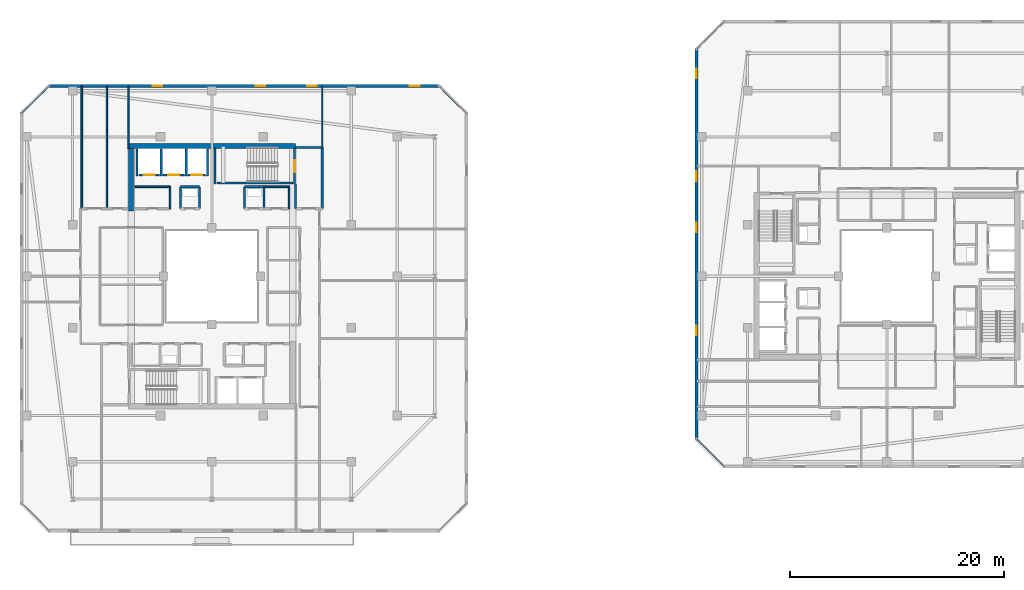
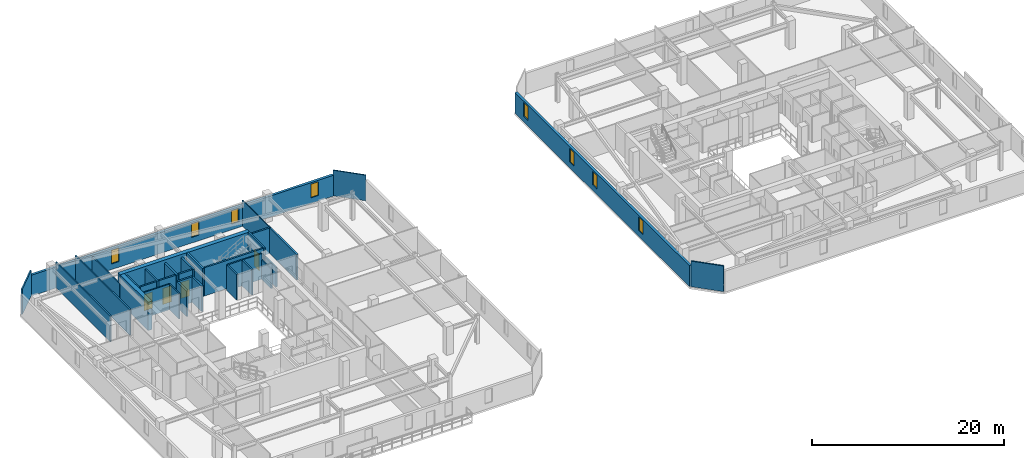
# One storey, part 24 of 35: 34 walls, 8 windows, 4 doors, 12 openings.
"""IFC4 building model written with IfcOpenShell, lengths in metres."""

from ifc_helpers import new_model, si_unit, direction, frame, frame_2d, origin, place, context, subcontext, project, spatial, rectangle, extrude, material, layer, layer_set, type_object, element, fill, save


model = new_model("IFC4")

# Units and contexts
model_context = context("Model", 3, precision=1e-05, world=origin(), true_north=direction((0.0, 1.0)))
body_context = subcontext(model_context, "Body", "Model", "MODEL_VIEW")
ifc_project = project(units=[si_unit("LENGTHUNIT", "METRE"), si_unit("AREAUNIT", "SQUARE_METRE"), si_unit("VOLUMEUNIT", "CUBIC_METRE"), si_unit("PLANEANGLEUNIT", "RADIAN"), si_unit("MASSUNIT", "GRAM", prefix="KILO")], contexts=[model_context])

# Site, building, storey
site_placement = place(None, origin())
site = spatial("IfcSite", under=ifc_project, at=site_placement, CompositionType="ELEMENT")
building_placement = place(site_placement, origin())
building = spatial("IfcBuilding", under=site, at=building_placement, Name="Thornwick Lancets Civic Towers", CompositionType="ELEMENT")
storey_placement = place(building_placement, frame((0.0, 0.0, 276.300048828125)))
storey = spatial("IfcBuildingStorey", under=building, at=storey_placement, Name="L74", CompositionType="ELEMENT", Elevation=276.300048828125)

# Wall, opening, door
ifc_material_1 = material(Name="Concrete blockwork C40/50", Category="masonry")
ifc_layer_1 = layer(ifc_material_1, 0.199951171875, Name="Concrete blockwork C40/50")
ifc_layer_set_1 = layer_set([ifc_layer_1], Name="Concrete blockwork C40/50")
wall_type_1 = type_object("IfcWallType", Name="WALL_COMP_200", PredefinedType="STANDARD", material=ifc_layer_set_1)
wall_1_placement = place(storey_placement, frame((24.919921875, 36.449951171875, 0.0), z_axis=(0.0, 0.0, 1.0), x_axis=(-1.0, 0.0, 0.0)))
wall_1 = element("IfcWall", 1, at=wall_1_placement, inside=storey, type_object=wall_type_1, Name="L74 Hoistway Front Wall FL-A2", PredefinedType="STANDARD", context=body_context, shape_type="SweptSolid", body=[
    extrude(rectangle(XDim=1.639892578125, YDim=0.199951171875, at=frame_2d((0.81982421875, 0.0))), origin(), (0.0, 0.0, 1.0), 3.260009765625),
])
opening_1_placement = place(wall_1_placement, frame((0.31005859375, 0.0, 0.0)))
opening_1 = element("IfcOpeningElement", 2, at=opening_1_placement, cuts=wall_1, Name="Opening LD-FL-A2", PredefinedType="OPENING", context=body_context, shape_type="SweptSolid", body=[
    extrude(rectangle(XDim=1.02001953125, YDim=2.06005859375, at=frame_2d((0.510009765625, 1.030029296875))), frame((0.0, 0.10986328125, 0.0), z_axis=(0.0, -1.0, 0.0), x_axis=(1.0, 0.0, 0.0)), (0.0, 0.0, 1.0), 0.219970703125),
])
ifc_material_2 = material(Name="Brushed bronze stainless steel", Category="steel")
door_type_1 = type_object("IfcDoorType", Name="DOOR_LIFT_SLIDE", OperationType="SLIDING_TO_LEFT", PredefinedType="DOOR", material=ifc_material_2)
door_1_placement = place(opening_1_placement, origin())
door_1 = element("IfcDoor", 3, at=door_1_placement, inside=storey, type_object=door_type_1, Name="L74 Sliding Lift Landing Door LD-FL-A2", OperationType="SLIDING_TO_LEFT", OverallHeight=2.06005859375, OverallWidth=1.02001953125, PredefinedType="DOOR", context=body_context, shape_type="SweptSolid", body=[
    extrude(rectangle(XDim=1.02001953125, YDim=2.06005859375, at=frame_2d((0.510009765625, 1.030029296875))), frame((0.0, 0.02490234375, 0.0), z_axis=(0.0, -1.0, 0.0), x_axis=(1.0, 0.0, 0.0)), (0.0, 0.0, 1.0), 0.050048828125),
])
fill(opening_1, door_1)

wall_2_placement = place(storey_placement, frame((22.919921875, 36.449951171875, 0.0), z_axis=(0.0, 0.0, 1.0), x_axis=(-1.0, 0.0, 0.0)))
wall_2 = element("IfcWall", 4, at=wall_2_placement, inside=storey, type_object=wall_type_1, Name="L74 Hoistway Front Wall PL-AH2", PredefinedType="STANDARD", context=body_context, shape_type="SweptSolid", body=[
    extrude(rectangle(XDim=1.989990234375, YDim=0.199951171875, at=frame_2d((0.9951171875, 0.0))), origin(), (0.0, 0.0, 1.0), 3.260009765625),
])
opening_2_placement = place(wall_2_placement, frame((0.485107421875, 0.0, 0.0)))
opening_2 = element("IfcOpeningElement", 5, at=opening_2_placement, cuts=wall_2, Name="Opening LD-PL-AH2", PredefinedType="OPENING", context=body_context, shape_type="SweptSolid", body=[
    extrude(rectangle(XDim=1.02001953125, YDim=2.06005859375, at=frame_2d((0.510009765625, 1.030029296875))), frame((0.0, 0.10986328125, 0.0), z_axis=(0.0, -1.0, 0.0), x_axis=(1.0, 0.0, 0.0)), (0.0, 0.0, 1.0), 0.219970703125),
])
door_2_placement = place(opening_2_placement, origin())
door_2 = element("IfcDoor", 6, at=door_2_placement, inside=storey, type_object=door_type_1, Name="L74 Sliding Lift Landing Door LD-PL-AH2", OperationType="SLIDING_TO_LEFT", OverallHeight=2.06005859375, OverallWidth=1.02001953125, PredefinedType="DOOR", context=body_context, shape_type="SweptSolid", body=[
    extrude(rectangle(XDim=1.02001953125, YDim=2.06005859375, at=frame_2d((0.510009765625, 1.030029296875))), frame((0.0, 0.02490234375, 0.0), z_axis=(0.0, -1.0, 0.0), x_axis=(1.0, 0.0, 0.0)), (0.0, 0.0, 1.0), 0.050048828125),
])
fill(opening_2, door_2)

wall_3_placement = place(storey_placement, frame((20.6201171875, 36.449951171875, 0.0), z_axis=(0.0, 0.0, 1.0), x_axis=(-1.0, 0.0, 0.0)))
wall_3 = element("IfcWall", 7, at=wall_3_placement, inside=storey, type_object=wall_type_1, Name="L74 Hoistway Front Wall PL-AH3", PredefinedType="STANDARD", context=body_context, shape_type="SweptSolid", body=[
    extrude(rectangle(XDim=1.940185546875, YDim=0.199951171875, at=frame_2d((0.97021484375, 0.0))), origin(), (0.0, 0.0, 1.0), 3.260009765625),
])
opening_3_placement = place(wall_3_placement, frame((0.4599609375, 0.0, 0.0)))
opening_3 = element("IfcOpeningElement", 8, at=opening_3_placement, cuts=wall_3, Name="Opening LD-PL-AH3", PredefinedType="OPENING", context=body_context, shape_type="SweptSolid", body=[
    extrude(rectangle(XDim=1.02001953125, YDim=2.06005859375, at=frame_2d((0.510009765625, 1.030029296875))), frame((0.0, 0.10986328125, 0.0), z_axis=(0.0, -1.0, 0.0), x_axis=(1.0, 0.0, 0.0)), (0.0, 0.0, 1.0), 0.219970703125),
])
door_3_placement = place(opening_3_placement, origin())
door_3 = element("IfcDoor", 9, at=door_3_placement, inside=storey, type_object=door_type_1, Name="L74 Sliding Lift Landing Door LD-PL-AH3", OperationType="SLIDING_TO_LEFT", OverallHeight=2.06005859375, OverallWidth=1.02001953125, PredefinedType="DOOR", context=body_context, shape_type="SweptSolid", body=[
    extrude(rectangle(XDim=1.02001953125, YDim=2.06005859375, at=frame_2d((0.510009765625, 1.030029296875))), frame((0.0, 0.02490234375, 0.0), z_axis=(0.0, -1.0, 0.0), x_axis=(1.0, 0.0, 0.0)), (0.0, 0.0, 1.0), 0.050048828125),
])
fill(opening_3, door_3)

# Walls
for number, where, z_axis, x_axis, name in (
    (10, (25.10009765625, 36.35205078125, 0.0), (0.0, 0.0, 1.0), (0.0, 1.0, 0.0), "L74 Hoistway Shaft Wall FL-A2 E"),
    (11, (23.10009765625, 36.35205078125, 0.0), (0.0, 0.0, 1.0), (0.0, 1.0, 0.0), "L74 Hoistway Shaft Wall FL-A2 W"),
    (12, (20.77490234375, 36.35205078125, 0.0), (0.0, 0.0, 1.0), (0.0, 1.0, 0.0), "L74 Hoistway Shaft Wall PL-AH2 W"),
    (13, (18.5, 36.35205078125, 0.0), (0.0, 0.0, 1.0), (0.0, 1.0, 0.0), "L74 Hoistway Shaft Wall PL-AH3 W"),
):
    element("IfcWall", number, at=place(storey_placement, frame(where, z_axis=z_axis, x_axis=x_axis)), inside=storey, type_object=wall_type_1, Name=name, PredefinedType="STANDARD", context=body_context, shape_type="SweptSolid", body=[
        extrude(rectangle(XDim=2.535888671875, YDim=0.199951171875, at=frame_2d((1.26806640625, 0.0))), origin(), (0.0, 0.0, 1.0), 3.260009765625),
    ])
wall_4_placement = place(storey_placement, frame((35.800048828125, 33.300048828125, 0.0), z_axis=(0.0, 0.0, 1.0), x_axis=(0.0, 1.0, 0.0)))
element("IfcWall", 14, at=wall_4_placement, inside=storey, type_object=wall_type_1, Name="L74 Partition L74-A-FFLOB2 E2", PredefinedType="STANDARD", context=body_context, shape_type="SweptSolid", body=[
    extrude(rectangle(XDim=5.699951171875, YDim=0.199951171875, at=frame_2d((2.85009765625, 0.0))), origin(), (0.0, 0.0, 1.0), 3.260009765625),
])
wall_5_placement = place(storey_placement, frame((35.800048828125, 39.0, 0.0), z_axis=(0.0, 0.0, 1.0), x_axis=(-1.0, 0.0, 0.0)))
element("IfcWall", 15, at=wall_5_placement, inside=storey, type_object=wall_type_1, Name="L74 Partition L74-A-FFLOB2 E3", PredefinedType="STANDARD", context=body_context, shape_type="SweptSolid", body=[
    extrude(rectangle(XDim=2.5, YDim=0.199951171875, at=frame_2d((1.25, 0.0))), origin(), (0.0, 0.0, 1.0), 3.260009765625),
])
wall_6_placement = place(storey_placement, frame((33.300048828125, 35.60009765625, 0.0), z_axis=(0.0, 0.0, 1.0), x_axis=(0.0, -1.0, 0.0)))
element("IfcWall", 16, at=wall_6_placement, inside=storey, type_object=wall_type_1, Name="L74 Partition L74-A-FFLOB2 E4", PredefinedType="STANDARD", context=body_context, shape_type="SweptSolid", body=[
    extrude(rectangle(XDim=2.300048828125, YDim=0.199951171875, at=frame_2d((1.14990234375, 0.0))), origin(), (0.0, 0.0, 1.0), 2.46484375),
])
wall_7_placement = place(storey_placement, frame((24.35009765625, 33.300048828125, 0.0), z_axis=(0.0, 0.0, 1.0), x_axis=(0.0, 1.0, 0.0)))
element("IfcWall", 17, at=wall_7_placement, inside=storey, type_object=wall_type_1, Name="L74 Partition L74-A-DUCT2 E2", PredefinedType="STANDARD", context=body_context, shape_type="SweptSolid", body=[
    extrude(rectangle(XDim=2.050048828125, YDim=0.199951171875, at=frame_2d((1.02490234375, 0.0))), origin(), (0.0, 0.0, 1.0), 3.260009765625),
])
wall_8_placement = place(storey_placement, frame((24.35009765625, 35.35009765625, 0.0), z_axis=(0.0, 0.0, 1.0), x_axis=(-1.0, 0.0, 0.0)))
element("IfcWall", 18, at=wall_8_placement, inside=storey, type_object=wall_type_1, Name="L74 Partition L74-A-DUCT2 E3", PredefinedType="STANDARD", context=body_context, shape_type="SweptSolid", body=[
    extrude(rectangle(XDim=1.800048828125, YDim=0.199951171875, at=frame_2d((0.89990234375, 0.0))), origin(), (0.0, 0.0, 1.0), 3.260009765625),
])
for number, where, z_axis, x_axis, name in (
    (19, (22.550048828125, 35.35009765625, 0.0), (0.0, 0.0, 1.0), (0.0, -1.0, 0.0), "L74 Partition L74-A-DUCT2 E4"),
    (20, (30.35009765625, 33.300048828125, 0.0), (0.0, 0.0, 1.0), (0.0, 1.0, 0.0), "L74 Partition L74-A-RISER2 E2"),
):
    element("IfcWall", number, at=place(storey_placement, frame(where, z_axis=z_axis, x_axis=x_axis)), inside=storey, type_object=wall_type_1, Name=name, PredefinedType="STANDARD", context=body_context, shape_type="SweptSolid", body=[
        extrude(rectangle(XDim=2.050048828125, YDim=0.199951171875, at=frame_2d((1.02490234375, 0.0))), origin(), (0.0, 0.0, 1.0), 3.260009765625),
    ])
wall_9_placement = place(storey_placement, frame((30.35009765625, 35.35009765625, 0.0), z_axis=(0.0, 0.0, 1.0), x_axis=(-1.0, 0.0, 0.0)))
element("IfcWall", 21, at=wall_9_placement, inside=storey, type_object=wall_type_1, Name="L74 Partition L74-A-RISER2 E3", PredefinedType="STANDARD", context=body_context, shape_type="SweptSolid", body=[
    extrude(rectangle(XDim=1.800048828125, YDim=0.199951171875, at=frame_2d((0.89990234375, 0.0))), origin(), (0.0, 0.0, 1.0), 3.260009765625),
])
wall_10_placement = place(storey_placement, frame((28.550048828125, 35.35009765625, 0.0), z_axis=(0.0, 0.0, 1.0), x_axis=(0.0, -1.0, 0.0)))
element("IfcWall", 22, at=wall_10_placement, inside=storey, type_object=wall_type_1, Name="L74 Partition L74-A-RISER2 E4", PredefinedType="STANDARD", context=body_context, shape_type="SweptSolid", body=[
    extrude(rectangle(XDim=2.050048828125, YDim=0.199951171875, at=frame_2d((1.02490234375, 0.0))), origin(), (0.0, 0.0, 1.0), 3.260009765625),
])
ifc_material_3 = material(Name="Concrete C50/60", Category="concrete")
ifc_layer_2 = layer(ifc_material_3, 0.5, Name="Concrete C50/60")
ifc_layer_set_2 = layer_set([ifc_layer_2], Name="Concrete C50/60")
wall_type_2 = type_object("IfcWallType", Name="WALL_CORE_500", PredefinedType="SHEAR", material=ifc_layer_set_2)
wall_11_placement = place(storey_placement, frame((17.699951171875, 39.14990234375, 0.0), z_axis=(0.0, 0.0, 1.0), x_axis=(1.0, 0.0, 0.0)))
element("IfcWall", 23, at=wall_11_placement, inside=storey, type_object=wall_type_2, Name="L74 Split Core A2 Shear Wall N", PredefinedType="SHEAR", context=body_context, shape_type="SweptSolid", body=[
    extrude(rectangle(XDim=15.60009765625, YDim=0.5, at=frame_2d((7.800048828125, 0.0))), origin(), (0.0, 0.0, 1.0), 3.599853515625),
])
wall_12_placement = place(storey_placement, frame((17.949951171875, 33.10009765625, 0.0), z_axis=(0.0, 0.0, 1.0), x_axis=(0.0, 1.0, 0.0)))
element("IfcWall", 24, at=wall_12_placement, inside=storey, type_object=wall_type_2, Name="L74 Split Core A2 Shear Wall W", PredefinedType="SHEAR", context=body_context, shape_type="SweptSolid", body=[
    extrude(rectangle(XDim=5.7998046875, YDim=0.5, at=frame_2d((2.89990234375, 0.0))), origin(), (0.0, 0.0, 1.0), 3.599853515625),
])

# Wall, openings, windows
ifc_material_4 = material(Name="Insulated russet terracotta rainscreen on concrete C40/50", Category="masonry")
ifc_layer_3 = layer(ifc_material_4, 0.300048828125, Name="Insulated russet terracotta rainscreen on concrete C40/50")
ifc_layer_set_3 = layer_set([ifc_layer_3], Name="Insulated russet terracotta rainscreen on concrete C40/50")
wall_type_3 = type_object("IfcWallType", Name="WALL_EXT_RUSSET_300", PredefinedType="STANDARD", material=ifc_layer_set_3)
wall_13_placement = place(storey_placement, frame((46.681396484375, 44.7646484375, 0.0), z_axis=(0.0, 0.0, 1.0), x_axis=(-1.0, 0.0, 0.0)))
wall_13 = element("IfcWall", 25, at=wall_13_placement, inside=storey, type_object=wall_type_3, Name="L74 Tower A Terracotta Facade Wall E4", PredefinedType="STANDARD", context=body_context, shape_type="SweptSolid", body=[
    extrude(rectangle(XDim=36.36279296875, YDim=0.300048828125, at=frame_2d((18.181396484375, 0.0))), origin(), (0.0, 0.0, 1.0), 2.659912109375),
])
opening_4_placement = place(wall_13_placement, frame((1.800048828125, 0.0, 0.719970703125)))
opening_4 = element("IfcOpeningElement", 26, at=opening_4_placement, cuts=wall_13, Name="Opening WL-01", PredefinedType="OPENING", context=body_context, shape_type="SweptSolid", body=[
    extrude(rectangle(XDim=0.89990234375, YDim=1.75, at=frame_2d((0.449951171875, 0.875))), frame((0.0, 0.16015625, 0.0), z_axis=(0.0, -1.0, 0.0), x_axis=(1.0, 0.0, 0.0)), (0.0, 0.0, 1.0), 0.320068359375),
])
opening_5_placement = place(wall_13_placement, frame((11.39990234375, 0.0, 0.719970703125)))
opening_5 = element("IfcOpeningElement", 27, at=opening_5_placement, cuts=wall_13, Name="Opening WL-01", PredefinedType="OPENING", context=body_context, shape_type="SweptSolid", body=[
    extrude(rectangle(XDim=0.89990234375, YDim=1.75, at=frame_2d((0.449951171875, 0.875))), frame((0.0, 0.16015625, 0.0), z_axis=(0.0, -1.0, 0.0), x_axis=(1.0, 0.0, 0.0)), (0.0, 0.0, 1.0), 0.320068359375),
])
opening_6_placement = place(wall_13_placement, frame((16.199951171875, 0.0, 0.719970703125)))
opening_6 = element("IfcOpeningElement", 28, at=opening_6_placement, cuts=wall_13, Name="Opening WL-01", PredefinedType="OPENING", context=body_context, shape_type="SweptSolid", body=[
    extrude(rectangle(XDim=0.89990234375, YDim=1.75, at=frame_2d((0.449951171875, 0.875))), frame((0.0, 0.16015625, 0.0), z_axis=(0.0, -1.0, 0.0), x_axis=(1.0, 0.0, 0.0)), (0.0, 0.0, 1.0), 0.320068359375),
])
opening_7_placement = place(wall_13_placement, frame((25.800048828125, 0.0, 0.719970703125)))
opening_7 = element("IfcOpeningElement", 29, at=opening_7_placement, cuts=wall_13, Name="Opening WL-01", PredefinedType="OPENING", context=body_context, shape_type="SweptSolid", body=[
    extrude(rectangle(XDim=0.89990234375, YDim=1.75, at=frame_2d((0.449951171875, 0.875))), frame((0.0, 0.16015625, 0.0), z_axis=(0.0, -1.0, 0.0), x_axis=(1.0, 0.0, 0.0)), (0.0, 0.0, 1.0), 0.320068359375),
])
ifc_material_5 = material(Name="Clear low-e double glazing in bronze frame", Category="glass")
window_type = type_object("IfcWindowType", Name="WIN_LANCET_900", PartitioningType="SINGLE_PANEL", PredefinedType="WINDOW", material=ifc_material_5)
window_1_placement = place(opening_4_placement, origin())
window_1 = element("IfcWindow", 30, at=window_1_placement, inside=storey, type_object=window_type, Name="L74 Tower A Staggered Lancet Window E4-1", OverallHeight=1.75, OverallWidth=0.89990234375, PartitioningType="SINGLE_PANEL", PredefinedType="WINDOW", context=body_context, shape_type="SweptSolid", body=[
    extrude(rectangle(XDim=0.89990234375, YDim=1.75, at=frame_2d((0.449951171875, 0.875))), frame((0.0, 0.030029296875, 0.0), z_axis=(0.0, -1.0, 0.0), x_axis=(1.0, 0.0, 0.0)), (0.0, 0.0, 1.0), 0.06005859375),
])
fill(opening_4, window_1)
window_2_placement = place(opening_5_placement, origin())
window_2 = element("IfcWindow", 31, at=window_2_placement, inside=storey, type_object=window_type, Name="L74 Tower A Staggered Lancet Window E4-2", OverallHeight=1.75, OverallWidth=0.89990234375, PartitioningType="SINGLE_PANEL", PredefinedType="WINDOW", context=body_context, shape_type="SweptSolid", body=[
    extrude(rectangle(XDim=0.89990234375, YDim=1.75, at=frame_2d((0.449951171875, 0.875))), frame((0.0, 0.030029296875, 0.0), z_axis=(0.0, -1.0, 0.0), x_axis=(1.0, 0.0, 0.0)), (0.0, 0.0, 1.0), 0.06005859375),
])
fill(opening_5, window_2)
window_3_placement = place(opening_6_placement, origin())
window_3 = element("IfcWindow", 32, at=window_3_placement, inside=storey, type_object=window_type, Name="L74 Tower A Staggered Lancet Window E4-3", OverallHeight=1.75, OverallWidth=0.89990234375, PartitioningType="SINGLE_PANEL", PredefinedType="WINDOW", context=body_context, shape_type="SweptSolid", body=[
    extrude(rectangle(XDim=0.89990234375, YDim=1.75, at=frame_2d((0.449951171875, 0.875))), frame((0.0, 0.030029296875, 0.0), z_axis=(0.0, -1.0, 0.0), x_axis=(1.0, 0.0, 0.0)), (0.0, 0.0, 1.0), 0.06005859375),
])
fill(opening_6, window_3)
window_4_placement = place(opening_7_placement, origin())
window_4 = element("IfcWindow", 33, at=window_4_placement, inside=storey, type_object=window_type, Name="L74 Tower A Staggered Lancet Window E4-4", OverallHeight=1.75, OverallWidth=0.89990234375, PartitioningType="SINGLE_PANEL", PredefinedType="WINDOW", context=body_context, shape_type="SweptSolid", body=[
    extrude(rectangle(XDim=0.89990234375, YDim=1.75, at=frame_2d((0.449951171875, 0.875))), frame((0.0, 0.030029296875, 0.0), z_axis=(0.0, -1.0, 0.0), x_axis=(1.0, 0.0, 0.0)), (0.0, 0.0, 1.0), 0.06005859375),
])
fill(opening_7, window_4)

wall_14_placement = place(storey_placement, frame((70.7353515625, 48.181396484375, 0.0), z_axis=(0.0, 0.0, 1.0), x_axis=(0.0, -1.0, 0.0)))
wall_14 = element("IfcWall", 34, at=wall_14_placement, inside=storey, type_object=wall_type_3, Name="L74 Tower B Terracotta Facade Wall E6", PredefinedType="STANDARD", context=body_context, shape_type="SweptSolid", body=[
    extrude(rectangle(XDim=36.36279296875, YDim=0.300048828125, at=frame_2d((18.181396484375, 0.0))), origin(), (0.0, 0.0, 1.0), 2.659912109375),
])
opening_8_placement = place(wall_14_placement, frame((1.800048828125, 0.0, 0.719970703125)))
opening_8 = element("IfcOpeningElement", 35, at=opening_8_placement, cuts=wall_14, Name="Opening WL-01", PredefinedType="OPENING", context=body_context, shape_type="SweptSolid", body=[
    extrude(rectangle(XDim=0.89990234375, YDim=1.75, at=frame_2d((0.449951171875, 0.875))), frame((0.0, 0.16015625, 0.0), z_axis=(0.0, -1.0, 0.0), x_axis=(1.0, 0.0, 0.0)), (0.0, 0.0, 1.0), 0.320068359375),
])
opening_9_placement = place(wall_14_placement, frame((11.39990234375, 0.0, 0.719970703125)))
opening_9 = element("IfcOpeningElement", 36, at=opening_9_placement, cuts=wall_14, Name="Opening WL-01", PredefinedType="OPENING", context=body_context, shape_type="SweptSolid", body=[
    extrude(rectangle(XDim=0.89990234375, YDim=1.75, at=frame_2d((0.449951171875, 0.875))), frame((0.0, 0.16015625, 0.0), z_axis=(0.0, -1.0, 0.0), x_axis=(1.0, 0.0, 0.0)), (0.0, 0.0, 1.0), 0.320068359375),
])
opening_10_placement = place(wall_14_placement, frame((16.199951171875, 0.0, 0.719970703125)))
opening_10 = element("IfcOpeningElement", 37, at=opening_10_placement, cuts=wall_14, Name="Opening WL-01", PredefinedType="OPENING", context=body_context, shape_type="SweptSolid", body=[
    extrude(rectangle(XDim=0.89990234375, YDim=1.75, at=frame_2d((0.449951171875, 0.875))), frame((0.0, 0.16015625, 0.0), z_axis=(0.0, -1.0, 0.0), x_axis=(1.0, 0.0, 0.0)), (0.0, 0.0, 1.0), 0.320068359375),
])
opening_11_placement = place(wall_14_placement, frame((25.800048828125, 0.0, 0.719970703125)))
opening_11 = element("IfcOpeningElement", 38, at=opening_11_placement, cuts=wall_14, Name="Opening WL-01", PredefinedType="OPENING", context=body_context, shape_type="SweptSolid", body=[
    extrude(rectangle(XDim=0.89990234375, YDim=1.75, at=frame_2d((0.449951171875, 0.875))), frame((0.0, 0.16015625, 0.0), z_axis=(0.0, -1.0, 0.0), x_axis=(1.0, 0.0, 0.0)), (0.0, 0.0, 1.0), 0.320068359375),
])
window_5_placement = place(opening_8_placement, origin())
window_5 = element("IfcWindow", 39, at=window_5_placement, inside=storey, type_object=window_type, Name="L74 Tower B Staggered Lancet Window E6-1", OverallHeight=1.75, OverallWidth=0.89990234375, PartitioningType="SINGLE_PANEL", PredefinedType="WINDOW", context=body_context, shape_type="SweptSolid", body=[
    extrude(rectangle(XDim=0.89990234375, YDim=1.75, at=frame_2d((0.449951171875, 0.875))), frame((0.0, 0.030029296875, 0.0), z_axis=(0.0, -1.0, 0.0), x_axis=(1.0, 0.0, 0.0)), (0.0, 0.0, 1.0), 0.06005859375),
])
fill(opening_8, window_5)
window_6_placement = place(opening_9_placement, origin())
window_6 = element("IfcWindow", 40, at=window_6_placement, inside=storey, type_object=window_type, Name="L74 Tower B Staggered Lancet Window E6-2", OverallHeight=1.75, OverallWidth=0.89990234375, PartitioningType="SINGLE_PANEL", PredefinedType="WINDOW", context=body_context, shape_type="SweptSolid", body=[
    extrude(rectangle(XDim=0.89990234375, YDim=1.75, at=frame_2d((0.449951171875, 0.875))), frame((0.0, 0.030029296875, 0.0), z_axis=(0.0, -1.0, 0.0), x_axis=(1.0, 0.0, 0.0)), (0.0, 0.0, 1.0), 0.06005859375),
])
fill(opening_9, window_6)
window_7_placement = place(opening_10_placement, origin())
window_7 = element("IfcWindow", 41, at=window_7_placement, inside=storey, type_object=window_type, Name="L74 Tower B Staggered Lancet Window E6-3", OverallHeight=1.75, OverallWidth=0.89990234375, PartitioningType="SINGLE_PANEL", PredefinedType="WINDOW", context=body_context, shape_type="SweptSolid", body=[
    extrude(rectangle(XDim=0.89990234375, YDim=1.75, at=frame_2d((0.449951171875, 0.875))), frame((0.0, 0.030029296875, 0.0), z_axis=(0.0, -1.0, 0.0), x_axis=(1.0, 0.0, 0.0)), (0.0, 0.0, 1.0), 0.06005859375),
])
fill(opening_10, window_7)
window_8_placement = place(opening_11_placement, origin())
window_8 = element("IfcWindow", 42, at=window_8_placement, inside=storey, type_object=window_type, Name="L74 Tower B Staggered Lancet Window E6-4", OverallHeight=1.75, OverallWidth=0.89990234375, PartitioningType="SINGLE_PANEL", PredefinedType="WINDOW", context=body_context, shape_type="SweptSolid", body=[
    extrude(rectangle(XDim=0.89990234375, YDim=1.75, at=frame_2d((0.449951171875, 0.875))), frame((0.0, 0.030029296875, 0.0), z_axis=(0.0, -1.0, 0.0), x_axis=(1.0, 0.0, 0.0)), (0.0, 0.0, 1.0), 0.06005859375),
])
fill(opening_11, window_8)

# Walls
ifc_material_6 = material(Name="Acoustic gypsum board partition")
ifc_layer_4 = layer(ifc_material_6, 0.1201171875, Name="Acoustic gypsum board partition")
ifc_layer_set_4 = layer_set([ifc_layer_4], Name="Acoustic gypsum board partition")
wall_type_4 = type_object("IfcWallType", Name="WALL_PART_120", PredefinedType="PARTITIONING", material=ifc_layer_set_4)
wall_15_placement = place(storey_placement, frame((35.800048828125, 39.0, 0.0), z_axis=(0.0, 0.0, 1.0), x_axis=(0.0, 1.0, 0.0)))
element("IfcWall", 43, at=wall_15_placement, inside=storey, type_object=wall_type_4, Name="L74 Partition L74-A-E4 E3", PredefinedType="PARTITIONING", context=body_context, shape_type="SweptSolid", body=[
    extrude(rectangle(XDim=5.719970703125, YDim=0.1201171875, at=frame_2d((2.85986328125, 0.0))), origin(), (0.0, 0.0, 1.0), 3.260009765625),
])
wall_16_placement = place(storey_placement, frame((46.725341796875, 44.719970703125, 0.0), z_axis=(0.0, 0.0, 1.0), x_axis=(0.707106781187, -0.707106781187, 0.0)))
element("IfcWall", 44, at=wall_16_placement, inside=storey, type_object=wall_type_4, Name="L74 Partition L74-A-E4 E5", PredefinedType="PARTITIONING", context=body_context, shape_type="SweptSolid", body=[
    extrude(rectangle(XDim=3.52783203125, YDim=0.1201171875, at=frame_2d((1.763916015625, 0.0))), origin(), (0.0, 0.0, 1.0), 3.260009765625),
])
ifc_material_7 = material(Name="Twin-stud acoustic gypsum board")
ifc_layer_5 = layer(ifc_material_7, 0.14990234375, Name="Twin-stud acoustic gypsum board")
ifc_layer_set_5 = layer_set([ifc_layer_5], Name="Twin-stud acoustic gypsum board")
wall_type_5 = type_object("IfcWallType", Name="WALL_PART_150", PredefinedType="PARTITIONING", material=ifc_layer_set_5)
wall_17_placement = place(storey_placement, frame((21.60009765625, 33.300048828125, 0.0), z_axis=(0.0, 0.0, 1.0), x_axis=(0.0, 1.0, 0.0)))
element("IfcWall", 45, at=wall_17_placement, inside=storey, type_object=wall_type_5, Name="L74 Partition L74-A-MWC E2", PredefinedType="PARTITIONING", context=body_context, shape_type="SweptSolid", body=[
    extrude(rectangle(XDim=2.050048828125, YDim=0.14990234375, at=frame_2d((1.02490234375, 0.0))), origin(), (0.0, 0.0, 1.0), 3.260009765625),
])
wall_18_placement = place(storey_placement, frame((21.60009765625, 35.35009765625, 0.0), z_axis=(0.0, 0.0, 1.0), x_axis=(-1.0, 0.0, 0.0)))
element("IfcWall", 46, at=wall_18_placement, inside=storey, type_object=wall_type_5, Name="L74 Partition L74-A-MWC E3", PredefinedType="PARTITIONING", context=body_context, shape_type="SweptSolid", body=[
    extrude(rectangle(XDim=3.300048828125, YDim=0.14990234375, at=frame_2d((1.64990234375, 0.0))), origin(), (0.0, 0.0, 1.0), 3.260009765625),
])
wall_19_placement = place(storey_placement, frame((32.699951171875, 35.35009765625, 0.0), z_axis=(0.0, 0.0, 1.0), x_axis=(0.0, -1.0, 0.0)))
element("IfcWall", 47, at=wall_19_placement, inside=storey, type_object=wall_type_5, Name="L74 Partition L74-A-FWC E1", PredefinedType="PARTITIONING", context=body_context, shape_type="SweptSolid", body=[
    extrude(rectangle(XDim=2.050048828125, YDim=0.14990234375, at=frame_2d((1.02490234375, 0.0))), origin(), (0.0, 0.0, 1.0), 2.46484375),
])
wall_20_placement = place(storey_placement, frame((30.35009765625, 35.35009765625, 0.0), z_axis=(0.0, 0.0, 1.0), x_axis=(1.0, 0.0, 0.0)))
element("IfcWall", 48, at=wall_20_placement, inside=storey, type_object=wall_type_5, Name="L74 Partition L74-A-FWC E4", PredefinedType="PARTITIONING", context=body_context, shape_type="SweptSolid", body=[
    extrude(rectangle(XDim=2.349853515625, YDim=0.14990234375, at=frame_2d((1.1748046875, 0.0))), origin(), (0.0, 0.0, 1.0), 3.260009765625),
])
for number, where, z_axis, x_axis, name in (
    (49, (13.35009765625, 33.300048828125, 0.0), (0.0, 0.0, 1.0), (0.0, 1.0, 0.0), "L74 Partition L74-A-RECLAIM-M1 E1"),
    (50, (15.699951171875, 44.719970703125, 0.0), (0.0, 0.0, 1.0), (0.0, -1.0, 0.0), "L74 Partition L74-A-RECLAIM-M1 E3"),
):
    element("IfcWall", number, at=place(storey_placement, frame(where, z_axis=z_axis, x_axis=x_axis)), inside=storey, type_object=wall_type_5, Name=name, PredefinedType="PARTITIONING", context=body_context, shape_type="SweptSolid", body=[
        extrude(rectangle(XDim=11.419921875, YDim=0.14990234375, at=frame_2d((5.7099609375, 0.0))), origin(), (0.0, 0.0, 1.0), 3.260009765625),
    ])
wall_21_placement = place(storey_placement, frame((17.699951171875, 44.719970703125, 0.0), z_axis=(0.0, 0.0, 1.0), x_axis=(0.0, -1.0, 0.0)))
element("IfcWall", 51, at=wall_21_placement, inside=storey, type_object=wall_type_5, Name="L74 Partition L74-A-RECLAIM-M2 E3", PredefinedType="PARTITIONING", context=body_context, shape_type="SweptSolid", body=[
    extrude(rectangle(XDim=5.820068359375, YDim=0.14990234375, at=frame_2d((2.91015625, 0.0))), origin(), (0.0, 0.0, 1.0), 2.46484375),
])
for number, where, z_axis, x_axis, name in (
    (52, (7.780029296875, 42.225341796875, 0.0), (0.0, 0.0, 1.0), (0.707106781187, 0.707106781187, 0.0), "L74 Partition L74-A-W2C E2"),
    (53, (73.274658203125, 9.280029296875, 0.0), (0.0, 0.0, 1.0), (-0.707106781187, 0.707106781187, 0.0), "L74 Partition L74-B-W2C E2"),
):
    element("IfcWall", number, at=place(storey_placement, frame(where, z_axis=z_axis, x_axis=x_axis)), inside=storey, type_object=wall_type_5, Name=name, PredefinedType="PARTITIONING", context=body_context, shape_type="SweptSolid", body=[
        extrude(rectangle(XDim=3.52783203125, YDim=0.14990234375, at=frame_2d((1.763916015625, 0.0))), origin(), (0.0, 0.0, 1.0), 3.260009765625),
    ])

# Wall, opening, door
ifc_material_8 = material(Name="Concrete C40/50", Category="concrete")
ifc_layer_6 = layer(ifc_material_8, 0.199951171875, Name="Concrete C40/50")
ifc_layer_set_6 = layer_set([ifc_layer_6], Name="Concrete C40/50")
wall_type_6 = type_object("IfcWallType", Name="WALL_SHAFT_200", PredefinedType="SHEAR", material=ifc_layer_set_6)
wall_22_placement = place(storey_placement, frame((33.199951171875, 38.949951171875, 0.0), z_axis=(0.0, 0.0, 1.0), x_axis=(0.0, -1.0, 0.0)))
wall_22 = element("IfcWall", 54, at=wall_22_placement, inside=storey, type_object=wall_type_6, Name="L74 ST-A2 Fire Stair Core Wall NEAR", PredefinedType="SHEAR", context=body_context, shape_type="SweptSolid", body=[
    extrude(rectangle(XDim=3.349853515625, YDim=0.199951171875, at=frame_2d((1.6748046875, 0.0))), origin(), (0.0, 0.0, 1.0), 3.599853515625),
])
opening_12_placement = place(wall_22_placement, frame((1.125, 0.0, 0.0)))
opening_12 = element("IfcOpeningElement", 55, at=opening_12_placement, cuts=wall_22, Name="Opening D-ST-A2-L74", PredefinedType="OPENING", context=body_context, shape_type="SweptSolid", body=[
    extrude(rectangle(XDim=1.10009765625, YDim=2.10009765625, at=frame_2d((0.550048828125, 1.050048828125))), frame((0.0, 0.10986328125, 0.0), z_axis=(0.0, -1.0, 0.0), x_axis=(1.0, 0.0, 0.0)), (0.0, 0.0, 1.0), 0.219970703125),
])
ifc_material_9 = material(Name="Fire-resisting steel and hardwood", Category="steel")
door_type_2 = type_object("IfcDoorType", Name="DOOR_STAIR_FD60", OperationType="NOTDEFINED", PredefinedType="DOOR", material=ifc_material_9)
door_4_placement = place(opening_12_placement, origin())
door_4 = element("IfcDoor", 56, at=door_4_placement, inside=storey, type_object=door_type_2, Name="L74 ST-A2 Exit Stair Door", OperationType="SINGLE_SWING_LEFT", OverallHeight=2.10009765625, OverallWidth=1.10009765625, PredefinedType="DOOR", context=body_context, shape_type="SweptSolid", body=[
    extrude(rectangle(XDim=1.10009765625, YDim=2.10009765625, at=frame_2d((0.550048828125, 1.050048828125))), frame((0.0, 0.02490234375, 0.0), z_axis=(0.0, -1.0, 0.0), x_axis=(1.0, 0.0, 0.0)), (0.0, 0.0, 1.0), 0.050048828125),
])
fill(opening_12, door_4)

# Walls
wall_23_placement = place(storey_placement, frame((25.800048828125, 35.60009765625, 0.0), z_axis=(0.0, 0.0, 1.0), x_axis=(0.0, 1.0, 0.0)))
element("IfcWall", 57, at=wall_23_placement, inside=storey, type_object=wall_type_6, Name="L74 ST-A2 Fire Stair Core Wall FAR", PredefinedType="SHEAR", context=body_context, shape_type="SweptSolid", body=[
    extrude(rectangle(XDim=3.349853515625, YDim=0.199951171875, at=frame_2d((1.6748046875, 0.0))), origin(), (0.0, 0.0, 1.0), 3.599853515625),
])
wall_24_placement = place(storey_placement, frame((25.949951171875, 35.702880859375, 0.0), z_axis=(0.0, 0.0, 1.0), x_axis=(1.0, 0.0, 0.0)))
element("IfcWall", 58, at=wall_24_placement, inside=storey, type_object=wall_type_6, Name="L74 ST-A2 Fire Stair Core Wall RIGHT", PredefinedType="SHEAR", context=body_context, shape_type="SweptSolid", body=[
    extrude(rectangle(XDim=7.10009765625, YDim=0.199951171875, at=frame_2d((3.550048828125, 0.0))), origin(), (0.0, 0.0, 1.0), 3.599853515625),
])

save(model, "model.ifc")
